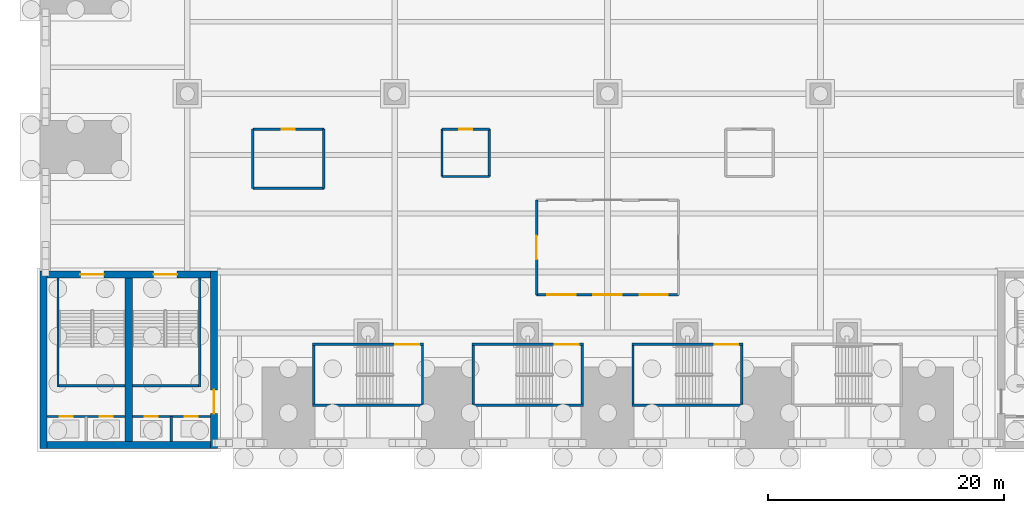
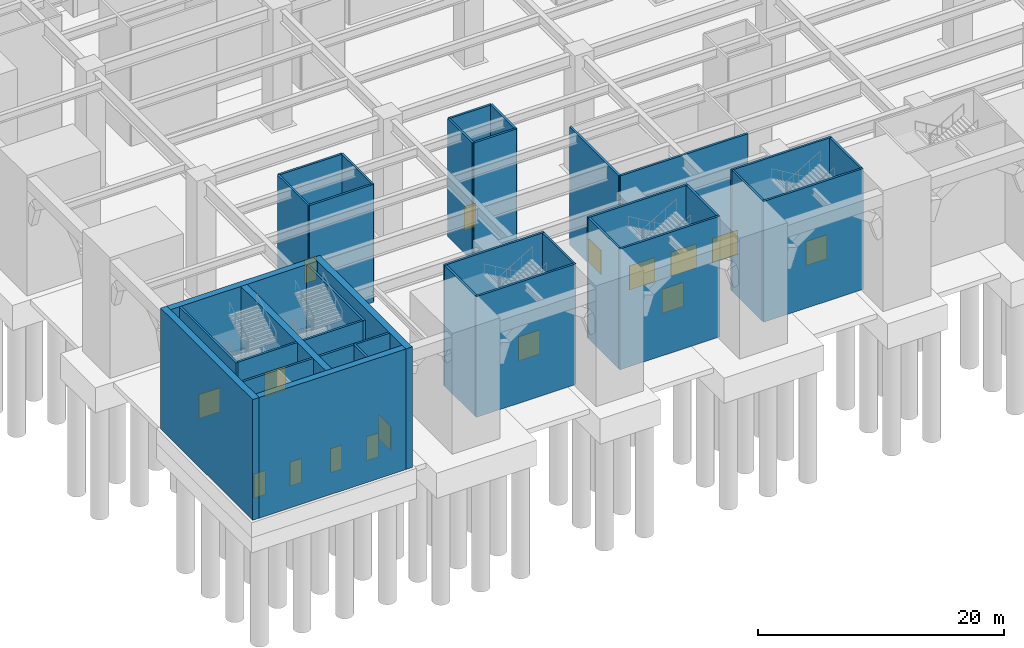
# One storey, part 7 of 34: 34 walls, 16 doors, 16 openings.
"""IFC4 building model written with IfcOpenShell, lengths in metres."""

from ifc_helpers import new_model, si_unit, direction, frame, frame_2d, origin, place, context, subcontext, project, spatial, rectangle, extrude, material, layer, layer_set, type_object, element, fill, save


model = new_model("IFC4")

# Units and contexts
model_context = context("Model", 3, precision=1e-05, world=origin(), true_north=direction((0.0, 1.0)))
body_context = subcontext(model_context, "Body", "Model", "MODEL_VIEW")
ifc_project = project(units=[si_unit("LENGTHUNIT", "METRE"), si_unit("AREAUNIT", "SQUARE_METRE"), si_unit("VOLUMEUNIT", "CUBIC_METRE"), si_unit("PLANEANGLEUNIT", "RADIAN"), si_unit("MASSUNIT", "GRAM", prefix="KILO")], contexts=[model_context])

# Site, building, storey
site_placement = place(None, origin())
site = spatial("IfcSite", under=ifc_project, at=site_placement, CompositionType="ELEMENT")
building_placement = place(site_placement, origin())
building = spatial("IfcBuilding", under=site, at=building_placement, Name="Corbelhall Arena Tower", CompositionType="ELEMENT")
storey_placement = place(building_placement, origin())
storey = spatial("IfcBuildingStorey", under=building, at=storey_placement, Name="L00", CompositionType="ELEMENT", Elevation=0.0)

# Wall
ifc_material_1 = material(Name="Gypsum board on steel studs", Category="steel")
ifc_layer_1 = layer(ifc_material_1, 0.199951171875)
ifc_layer_set_1 = layer_set([ifc_layer_1], Name="AR-ROOM-WALL")
wall_type_1 = type_object("IfcWallType", Name="AR-ROOM-WALL", PredefinedType="PARTITIONING", material=ifc_layer_set_1)
wall_1_placement = place(storey_placement, frame((-30.0, -17.0, 0.0), z_axis=(0.0, 0.0, 1.0), x_axis=(1.0, 0.0, 0.0)))
element("IfcWall", 1, at=wall_1_placement, inside=storey, type_object=wall_type_1, Name="First-aid post wall", PredefinedType="PARTITIONING", context=body_context, shape_type="SweptSolid", body=[
    extrude(rectangle(XDim=6.0, YDim=0.199951171875, at=frame_2d((3.0, 0.0))), origin(), (0.0, 0.0, 1.0), 11.699951171875),
])

# Wall, opening, door
wall_2_placement = place(storey_placement, frame((-24.0, -12.0, 0.0), z_axis=(0.0, 0.0, 1.0), x_axis=(-1.0, 0.0, 0.0)))
wall_2 = element("IfcWall", 2, at=wall_2_placement, inside=storey, type_object=wall_type_1, Name="First-aid post wall", PredefinedType="PARTITIONING", context=body_context, shape_type="SweptSolid", body=[
    extrude(rectangle(XDim=6.0, YDim=0.199951171875, at=frame_2d((3.0, 0.0))), origin(), (0.0, 0.0, 1.0), 11.699951171875),
])
opening_1_placement = place(wall_2_placement, frame((2.449951171875, 0.0, 0.0)))
opening_1 = element("IfcOpeningElement", 3, at=opening_1_placement, cuts=wall_2, Name="Opening DA0320", PredefinedType="OPENING", context=body_context, shape_type="SweptSolid", body=[
    extrude(rectangle(XDim=1.10009765625, YDim=2.39990234375, at=frame_2d((0.550048828125, 1.199951171875))), frame((0.0, 0.10009765625, 0.0), z_axis=(0.0, -1.0, 0.0), x_axis=(1.0, 0.0, 0.0)), (0.0, 0.0, 1.0), 0.199951171875),
])
ifc_material_2 = material(Name="Timber", Category="wood")
door_type_1 = type_object("IfcDoorType", Name="AR-ROOM-DOOR", OperationType="DOUBLE_DOOR_SINGLE_SWING", PredefinedType="DOOR", material=ifc_material_2)
door_1_placement = place(opening_1_placement, origin())
door_1 = element("IfcDoor", 4, at=door_1_placement, inside=storey, type_object=door_type_1, Name="First-aid post door", OperationType="DOUBLE_DOOR_SINGLE_SWING", OverallHeight=2.39990234375, OverallWidth=1.10009765625, PredefinedType="DOOR", context=body_context, shape_type="SweptSolid", body=[
    extrude(rectangle(XDim=1.10009765625, YDim=2.39990234375, at=frame_2d((0.550048828125, 1.199951171875))), frame((0.0, 0.02490234375, 0.0), z_axis=(0.0, -1.0, 0.0), x_axis=(1.0, 0.0, 0.0)), (0.0, 0.0, 1.0), 0.050048828125),
])
fill(opening_1, door_1)

# Walls
for number, where, z_axis, x_axis, name in (
    (5, (-30.0, -12.0, 0.0), (0.0, 0.0, 1.0), (0.0, -1.0, 0.0), "First-aid post wall"),
    (6, (-24.0, -17.0, 0.0), (0.0, 0.0, 1.0), (0.0, 1.0, 0.0), "First-aid post wall"),
):
    element("IfcWall", number, at=place(storey_placement, frame(where, z_axis=z_axis, x_axis=x_axis)), inside=storey, type_object=wall_type_1, Name=name, PredefinedType="PARTITIONING", context=body_context, shape_type="SweptSolid", body=[
        extrude(rectangle(XDim=5.0, YDim=0.199951171875, at=frame_2d((2.5, 0.0))), origin(), (0.0, 0.0, 1.0), 11.699951171875),
    ])
wall_3_placement = place(storey_placement, frame((-14.0, -16.0, 0.0), z_axis=(0.0, 0.0, 1.0), x_axis=(1.0, 0.0, 0.0)))
element("IfcWall", 7, at=wall_3_placement, inside=storey, type_object=wall_type_1, Name="Information kiosk wall", PredefinedType="PARTITIONING", context=body_context, shape_type="SweptSolid", body=[
    extrude(rectangle(XDim=4.0, YDim=0.199951171875, at=frame_2d((2.0, 0.0))), origin(), (0.0, 0.0, 1.0), 11.699951171875),
])

# Wall, opening, door
wall_4_placement = place(storey_placement, frame((-10.0, -12.0, 0.0), z_axis=(0.0, 0.0, 1.0), x_axis=(-1.0, 0.0, 0.0)))
wall_4 = element("IfcWall", 8, at=wall_4_placement, inside=storey, type_object=wall_type_1, Name="Information kiosk wall", PredefinedType="PARTITIONING", context=body_context, shape_type="SweptSolid", body=[
    extrude(rectangle(XDim=4.0, YDim=0.199951171875, at=frame_2d((2.0, 0.0))), origin(), (0.0, 0.0, 1.0), 11.699951171875),
])
opening_2_placement = place(wall_4_placement, frame((1.449951171875, 0.0, 0.0)))
opening_2 = element("IfcOpeningElement", 9, at=opening_2_placement, cuts=wall_4, Name="Opening DA0323", PredefinedType="OPENING", context=body_context, shape_type="SweptSolid", body=[
    extrude(rectangle(XDim=1.10009765625, YDim=2.39990234375, at=frame_2d((0.550048828125, 1.199951171875))), frame((0.0, 0.10009765625, 0.0), z_axis=(0.0, -1.0, 0.0), x_axis=(1.0, 0.0, 0.0)), (0.0, 0.0, 1.0), 0.199951171875),
])
door_2_placement = place(opening_2_placement, origin())
door_2 = element("IfcDoor", 10, at=door_2_placement, inside=storey, type_object=door_type_1, Name="Information kiosk door", OperationType="DOUBLE_DOOR_SINGLE_SWING", OverallHeight=2.39990234375, OverallWidth=1.10009765625, PredefinedType="DOOR", context=body_context, shape_type="SweptSolid", body=[
    extrude(rectangle(XDim=1.10009765625, YDim=2.39990234375, at=frame_2d((0.550048828125, 1.199951171875))), frame((0.0, 0.02490234375, 0.0), z_axis=(0.0, -1.0, 0.0), x_axis=(1.0, 0.0, 0.0)), (0.0, 0.0, 1.0), 0.050048828125),
])
fill(opening_2, door_2)

# Walls
for number, where, z_axis, x_axis, name in (
    (11, (-14.0, -12.0, 0.0), (0.0, 0.0, 1.0), (0.0, -1.0, 0.0), "Information kiosk wall"),
    (12, (-10.0, -16.0, 0.0), (0.0, 0.0, 1.0), (0.0, 1.0, 0.0), "Information kiosk wall"),
):
    element("IfcWall", number, at=place(storey_placement, frame(where, z_axis=z_axis, x_axis=x_axis)), inside=storey, type_object=wall_type_1, Name=name, PredefinedType="PARTITIONING", context=body_context, shape_type="SweptSolid", body=[
        extrude(rectangle(XDim=4.0, YDim=0.199951171875, at=frame_2d((2.0, 0.0))), origin(), (0.0, 0.0, 1.0), 11.699951171875),
    ])

# Wall, openings, doors
wall_5_placement = place(storey_placement, frame((-6.0, -26.0, 0.0), z_axis=(0.0, 0.0, 1.0), x_axis=(1.0, 0.0, 0.0)))
wall_5 = element("IfcWall", 13, at=wall_5_placement, inside=storey, type_object=wall_type_1, Name="Arena entrance lobby wall", PredefinedType="PARTITIONING", context=body_context, shape_type="SweptSolid", body=[
    extrude(rectangle(XDim=12.0, YDim=0.199951171875, at=frame_2d((6.0, 0.0))), origin(), (0.0, 0.0, 1.0), 11.699951171875),
])
opening_3_placement = place(wall_5_placement, frame((0.89990234375, 0.0, 0.0)))
opening_3 = element("IfcOpeningElement", 14, at=opening_3_placement, cuts=wall_5, Name="Opening DA0333", PredefinedType="OPENING", context=body_context, shape_type="SweptSolid", body=[
    extrude(rectangle(XDim=2.39990234375, YDim=2.39990234375, at=frame_2d((1.199951171875, 1.199951171875))), frame((0.0, 0.10009765625, 0.0), z_axis=(0.0, -1.0, 0.0), x_axis=(1.0, 0.0, 0.0)), (0.0, 0.0, 1.0), 0.199951171875),
])
opening_4_placement = place(wall_5_placement, frame((4.800048828125, 0.0, 0.0)))
opening_4 = element("IfcOpeningElement", 15, at=opening_4_placement, cuts=wall_5, Name="Opening DA0334", PredefinedType="OPENING", context=body_context, shape_type="SweptSolid", body=[
    extrude(rectangle(XDim=2.39990234375, YDim=2.39990234375, at=frame_2d((1.199951171875, 1.199951171875))), frame((0.0, 0.10009765625, 0.0), z_axis=(0.0, -1.0, 0.0), x_axis=(1.0, 0.0, 0.0)), (0.0, 0.0, 1.0), 0.199951171875),
])
opening_5_placement = place(wall_5_placement, frame((8.699951171875, 0.0, 0.0)))
opening_5 = element("IfcOpeningElement", 16, at=opening_5_placement, cuts=wall_5, Name="Opening DA0335", PredefinedType="OPENING", context=body_context, shape_type="SweptSolid", body=[
    extrude(rectangle(XDim=2.39990234375, YDim=2.39990234375, at=frame_2d((1.199951171875, 1.199951171875))), frame((0.0, 0.10009765625, 0.0), z_axis=(0.0, -1.0, 0.0), x_axis=(1.0, 0.0, 0.0)), (0.0, 0.0, 1.0), 0.199951171875),
])
ifc_material_3 = material(Name="Steel and glass", Category="steel")
door_type_2 = type_object("IfcDoorType", Name="AR-ENTRANCE-DOOR", OperationType="DOUBLE_DOOR_SINGLE_SWING", PredefinedType="DOOR", material=ifc_material_3)
door_3_placement = place(opening_3_placement, frame((2.39990234375, 0.0, 0.0), z_axis=(0.0, 0.0, 1.0), x_axis=(-1.0, 0.0, 0.0)))
door_3 = element("IfcDoor", 17, at=door_3_placement, inside=storey, type_object=door_type_2, Name="Arena entrance lobby entrance door", OperationType="DOUBLE_DOOR_SINGLE_SWING", OverallHeight=2.39990234375, OverallWidth=2.39990234375, PredefinedType="DOOR", context=body_context, shape_type="SweptSolid", body=[
    extrude(rectangle(XDim=2.39990234375, YDim=2.39990234375, at=frame_2d((1.199951171875, 1.199951171875))), frame((0.0, 0.02490234375, 0.0), z_axis=(0.0, -1.0, 0.0), x_axis=(1.0, 0.0, 0.0)), (0.0, 0.0, 1.0), 0.050048828125),
])
fill(opening_3, door_3)
door_4_placement = place(opening_4_placement, frame((2.39990234375, 0.0, 0.0), z_axis=(0.0, 0.0, 1.0), x_axis=(-1.0, 0.0, 0.0)))
door_4 = element("IfcDoor", 18, at=door_4_placement, inside=storey, type_object=door_type_2, Name="Arena entrance lobby entrance door", OperationType="DOUBLE_DOOR_SINGLE_SWING", OverallHeight=2.39990234375, OverallWidth=2.39990234375, PredefinedType="DOOR", context=body_context, shape_type="SweptSolid", body=[
    extrude(rectangle(XDim=2.39990234375, YDim=2.39990234375, at=frame_2d((1.199951171875, 1.199951171875))), frame((0.0, 0.02490234375, 0.0), z_axis=(0.0, -1.0, 0.0), x_axis=(1.0, 0.0, 0.0)), (0.0, 0.0, 1.0), 0.050048828125),
])
fill(opening_4, door_4)
door_5_placement = place(opening_5_placement, frame((2.39990234375, 0.0, 0.0), z_axis=(0.0, 0.0, 1.0), x_axis=(-1.0, 0.0, 0.0)))
door_5 = element("IfcDoor", 19, at=door_5_placement, inside=storey, type_object=door_type_2, Name="Arena entrance lobby entrance door", OperationType="DOUBLE_DOOR_SINGLE_SWING", OverallHeight=2.39990234375, OverallWidth=2.39990234375, PredefinedType="DOOR", context=body_context, shape_type="SweptSolid", body=[
    extrude(rectangle(XDim=2.39990234375, YDim=2.39990234375, at=frame_2d((1.199951171875, 1.199951171875))), frame((0.0, 0.02490234375, 0.0), z_axis=(0.0, -1.0, 0.0), x_axis=(1.0, 0.0, 0.0)), (0.0, 0.0, 1.0), 0.050048828125),
])
fill(opening_5, door_5)

# Wall, opening, door
wall_6_placement = place(storey_placement, frame((-6.0, -18.0, 0.0), z_axis=(0.0, 0.0, 1.0), x_axis=(0.0, -1.0, 0.0)))
wall_6 = element("IfcWall", 20, at=wall_6_placement, inside=storey, type_object=wall_type_1, Name="Arena entrance lobby wall", PredefinedType="PARTITIONING", context=body_context, shape_type="SweptSolid", body=[
    extrude(rectangle(XDim=8.0, YDim=0.199951171875, at=frame_2d((4.0, 0.0))), origin(), (0.0, 0.0, 1.0), 11.699951171875),
])
opening_6_placement = place(wall_6_placement, frame((3.0, 0.0, 0.0)))
opening_6 = element("IfcOpeningElement", 21, at=opening_6_placement, cuts=wall_6, Name="Opening DA0339", PredefinedType="OPENING", context=body_context, shape_type="SweptSolid", body=[
    extrude(rectangle(XDim=2.0, YDim=2.39990234375, at=frame_2d((1.0, 1.199951171875))), frame((0.0, 0.10009765625, 0.0), z_axis=(0.0, -1.0, 0.0), x_axis=(1.0, 0.0, 0.0)), (0.0, 0.0, 1.0), 0.199951171875),
])
door_type_3 = type_object("IfcDoorType", Name="AR-EXIT-DOOR", OperationType="DOUBLE_DOOR_SINGLE_SWING", PredefinedType="DOOR", material=ifc_material_3)
door_6_placement = place(opening_6_placement, frame((2.0, 0.0, 0.0), z_axis=(0.0, 0.0, 1.0), x_axis=(-1.0, 0.0, 0.0)))
door_6 = element("IfcDoor", 22, at=door_6_placement, inside=storey, type_object=door_type_3, Name="Arena entrance lobby exit door", OperationType="DOUBLE_DOOR_SINGLE_SWING", OverallHeight=2.39990234375, OverallWidth=2.0, PredefinedType="DOOR", context=body_context, shape_type="SweptSolid", body=[
    extrude(rectangle(XDim=2.0, YDim=2.39990234375, at=frame_2d((1.0, 1.199951171875))), frame((0.0, 0.02490234375, 0.0), z_axis=(0.0, -1.0, 0.0), x_axis=(1.0, 0.0, 0.0)), (0.0, 0.0, 1.0), 0.050048828125),
])
fill(opening_6, door_6)

# Wall, openings, doors
ifc_material_4 = material(Name="Reinforced concrete C40/50", Category="concrete")
ifc_layer_2 = layer(ifc_material_4, 0.199951171875)
ifc_layer_set_2 = layer_set([ifc_layer_2], Name="AR-SHAFT-WALL")
wall_type_2 = type_object("IfcWallType", Name="AR-SHAFT-WALL", PredefinedType="SHEAR", material=ifc_layer_set_2)
wall_7_placement = place(storey_placement, frame((-47.39990234375, -36.300048828125, 0.0), z_axis=(0.0, 0.0, 1.0), x_axis=(1.0, 0.0, 0.0)))
wall_7 = element("IfcWall", 23, at=wall_7_placement, inside=storey, type_object=wall_type_2, Name="Lift lobby wall SW", PredefinedType="SHEAR", context=body_context, shape_type="SweptSolid", body=[
    extrude(rectangle(XDim=6.599853515625, YDim=0.199951171875, at=frame_2d((3.2998046875, 0.0))), origin(), (0.0, 0.0, 1.0), 12.0),
])
opening_7_placement = place(wall_7_placement, frame((1.050048828125, 0.0, 0.0)))
opening_7 = element("IfcOpeningElement", 24, at=opening_7_placement, cuts=wall_7, Name="Opening LD0249", PredefinedType="OPENING", context=body_context, shape_type="SweptSolid", body=[
    extrude(rectangle(XDim=1.10009765625, YDim=2.39990234375, at=frame_2d((0.550048828125, 1.199951171875))), frame((0.0, 0.10009765625, 0.0), z_axis=(0.0, -1.0, 0.0), x_axis=(1.0, 0.0, 0.0)), (0.0, 0.0, 1.0), 0.199951171875),
])
opening_8_placement = place(wall_7_placement, frame((4.449951171875, 0.0, 0.0)))
opening_8 = element("IfcOpeningElement", 25, at=opening_8_placement, cuts=wall_7, Name="Opening LD0250", PredefinedType="OPENING", context=body_context, shape_type="SweptSolid", body=[
    extrude(rectangle(XDim=1.10009765625, YDim=2.39990234375, at=frame_2d((0.550048828125, 1.199951171875))), frame((0.0, 0.10009765625, 0.0), z_axis=(0.0, -1.0, 0.0), x_axis=(1.0, 0.0, 0.0)), (0.0, 0.0, 1.0), 0.199951171875),
])
ifc_material_5 = material(Name="Stainless steel A4", Category="steel")
door_type_4 = type_object("IfcDoorType", Name="AR-LANDING-DOOR", OperationType="DOUBLE_DOOR_SLIDING", PredefinedType="DOOR", material=ifc_material_5)
door_7_placement = place(opening_7_placement, frame((1.10009765625, 0.0, 0.0), z_axis=(0.0, 0.0, 1.0), x_axis=(-1.0, 0.0, 0.0)))
door_7 = element("IfcDoor", 26, at=door_7_placement, inside=storey, type_object=door_type_4, Name="Landing door SW LF3 L00", OperationType="DOUBLE_DOOR_SLIDING", OverallHeight=2.39990234375, OverallWidth=1.10009765625, PredefinedType="DOOR", context=body_context, shape_type="SweptSolid", body=[
    extrude(rectangle(XDim=1.10009765625, YDim=2.39990234375, at=frame_2d((0.550048828125, 1.199951171875))), frame((0.0, 0.02490234375, 0.0), z_axis=(0.0, -1.0, 0.0), x_axis=(1.0, 0.0, 0.0)), (0.0, 0.0, 1.0), 0.050048828125),
])
fill(opening_7, door_7)
door_8_placement = place(opening_8_placement, frame((1.10009765625, 0.0, 0.0), z_axis=(0.0, 0.0, 1.0), x_axis=(-1.0, 0.0, 0.0)))
door_8 = element("IfcDoor", 27, at=door_8_placement, inside=storey, type_object=door_type_4, Name="Landing door SW LF4 L00", OperationType="DOUBLE_DOOR_SLIDING", OverallHeight=2.39990234375, OverallWidth=1.10009765625, PredefinedType="DOOR", context=body_context, shape_type="SweptSolid", body=[
    extrude(rectangle(XDim=1.10009765625, YDim=2.39990234375, at=frame_2d((0.550048828125, 1.199951171875))), frame((0.0, 0.02490234375, 0.0), z_axis=(0.0, -1.0, 0.0), x_axis=(1.0, 0.0, 0.0)), (0.0, 0.0, 1.0), 0.050048828125),
])
fill(opening_8, door_8)

wall_8_placement = place(storey_placement, frame((-40.199951171875, -36.300048828125, 0.0), z_axis=(0.0, 0.0, 1.0), x_axis=(1.0, 0.0, 0.0)))
wall_8 = element("IfcWall", 28, at=wall_8_placement, inside=storey, type_object=wall_type_2, Name="Lift lobby wall SW", PredefinedType="SHEAR", context=body_context, shape_type="SweptSolid", body=[
    extrude(rectangle(XDim=6.599853515625, YDim=0.199951171875, at=frame_2d((3.2998046875, 0.0))), origin(), (0.0, 0.0, 1.0), 12.0),
])
opening_9_placement = place(wall_8_placement, frame((1.050048828125, 0.0, 0.0)))
opening_9 = element("IfcOpeningElement", 29, at=opening_9_placement, cuts=wall_8, Name="Opening LD0251", PredefinedType="OPENING", context=body_context, shape_type="SweptSolid", body=[
    extrude(rectangle(XDim=1.10009765625, YDim=2.39990234375, at=frame_2d((0.550048828125, 1.199951171875))), frame((0.0, 0.10009765625, 0.0), z_axis=(0.0, -1.0, 0.0), x_axis=(1.0, 0.0, 0.0)), (0.0, 0.0, 1.0), 0.199951171875),
])
opening_10_placement = place(wall_8_placement, frame((4.449951171875, 0.0, 0.0)))
opening_10 = element("IfcOpeningElement", 30, at=opening_10_placement, cuts=wall_8, Name="Opening LD0252", PredefinedType="OPENING", context=body_context, shape_type="SweptSolid", body=[
    extrude(rectangle(XDim=1.10009765625, YDim=2.39990234375, at=frame_2d((0.550048828125, 1.199951171875))), frame((0.0, 0.10009765625, 0.0), z_axis=(0.0, -1.0, 0.0), x_axis=(1.0, 0.0, 0.0)), (0.0, 0.0, 1.0), 0.199951171875),
])
door_9_placement = place(opening_9_placement, frame((1.10009765625, 0.0, 0.0), z_axis=(0.0, 0.0, 1.0), x_axis=(-1.0, 0.0, 0.0)))
door_9 = element("IfcDoor", 31, at=door_9_placement, inside=storey, type_object=door_type_4, Name="Landing door SW LF1 L00", OperationType="DOUBLE_DOOR_SLIDING", OverallHeight=2.39990234375, OverallWidth=1.10009765625, PredefinedType="DOOR", context=body_context, shape_type="SweptSolid", body=[
    extrude(rectangle(XDim=1.10009765625, YDim=2.39990234375, at=frame_2d((0.550048828125, 1.199951171875))), frame((0.0, 0.02490234375, 0.0), z_axis=(0.0, -1.0, 0.0), x_axis=(1.0, 0.0, 0.0)), (0.0, 0.0, 1.0), 0.050048828125),
])
fill(opening_9, door_9)
door_10_placement = place(opening_10_placement, frame((1.10009765625, 0.0, 0.0), z_axis=(0.0, 0.0, 1.0), x_axis=(-1.0, 0.0, 0.0)))
door_10 = element("IfcDoor", 32, at=door_10_placement, inside=storey, type_object=door_type_4, Name="Landing door SW LF2 L00", OperationType="DOUBLE_DOOR_SLIDING", OverallHeight=2.39990234375, OverallWidth=1.10009765625, PredefinedType="DOOR", context=body_context, shape_type="SweptSolid", body=[
    extrude(rectangle(XDim=1.10009765625, YDim=2.39990234375, at=frame_2d((0.550048828125, 1.199951171875))), frame((0.0, 0.02490234375, 0.0), z_axis=(0.0, -1.0, 0.0), x_axis=(1.0, 0.0, 0.0)), (0.0, 0.0, 1.0), 0.050048828125),
])
fill(opening_10, door_10)

# Wall
wall_9_placement = place(storey_placement, frame((-36.89990234375, -38.39990234375, 0.0), z_axis=(0.0, 0.0, 1.0), x_axis=(0.0, 1.0, 0.0)))
element("IfcWall", 33, at=wall_9_placement, inside=storey, type_object=wall_type_2, Name="Shaft wall SW", PredefinedType="SHEAR", context=body_context, shape_type="SweptSolid", body=[
    extrude(rectangle(XDim=2.099853515625, YDim=0.199951171875, at=frame_2d((1.0498046875, 0.0))), origin(), (0.0, 0.0, 1.0), 12.0),
])

# Wall, opening, door
ifc_layer_3 = layer(ifc_material_4, 0.199951171875)
ifc_layer_set_3 = layer_set([ifc_layer_3], Name="AR-STAIR-WALL")
wall_type_3 = type_object("IfcWallType", Name="AR-STAIR-WALL", PredefinedType="SOLIDWALL", material=ifc_layer_set_3)
wall_10_placement = place(storey_placement, frame((-24.949951171875, -30.199951171875, 0.0), z_axis=(0.0, 0.0, 1.0), x_axis=(1.0, 0.0, 0.0)))
wall_10 = element("IfcWall", 34, at=wall_10_placement, inside=storey, type_object=wall_type_3, Name="Stair AS13 wall", PredefinedType="SOLIDWALL", context=body_context, shape_type="SweptSolid", body=[
    extrude(rectangle(XDim=9.39990234375, YDim=0.199951171875, at=frame_2d((4.699951171875, 0.0))), origin(), (0.0, 0.0, 1.0), 12.0),
])
opening_11_placement = place(wall_10_placement, frame((7.0, 0.0, 0.0)))
opening_11 = element("IfcOpeningElement", 35, at=opening_11_placement, cuts=wall_10, Name="Opening DA0025", PredefinedType="OPENING", context=body_context, shape_type="SweptSolid", body=[
    extrude(rectangle(XDim=2.0, YDim=2.39990234375, at=frame_2d((1.0, 1.199951171875))), frame((0.0, 0.10009765625, 0.0), z_axis=(0.0, -1.0, 0.0), x_axis=(1.0, 0.0, 0.0)), (0.0, 0.0, 1.0), 0.199951171875),
])
door_11_placement = place(opening_11_placement, origin())
door_11 = element("IfcDoor", 36, at=door_11_placement, inside=storey, type_object=door_type_3, Name="Stair AS13 door", OperationType="DOUBLE_DOOR_SINGLE_SWING", OverallHeight=2.39990234375, OverallWidth=2.0, PredefinedType="DOOR", context=body_context, shape_type="SweptSolid", body=[
    extrude(rectangle(XDim=2.0, YDim=2.39990234375, at=frame_2d((1.0, 1.199951171875))), frame((0.0, 0.02490234375, 0.0), z_axis=(0.0, -1.0, 0.0), x_axis=(1.0, 0.0, 0.0)), (0.0, 0.0, 1.0), 0.050048828125),
])
fill(opening_11, door_11)

# Walls
wall_11_placement = place(storey_placement, frame((-24.949951171875, -35.35009765625, 0.0), z_axis=(0.0, 0.0, 1.0), x_axis=(1.0, 0.0, 0.0)))
element("IfcWall", 37, at=wall_11_placement, inside=storey, type_object=wall_type_3, Name="Stair AS13 wall", PredefinedType="SOLIDWALL", context=body_context, shape_type="SweptSolid", body=[
    extrude(rectangle(XDim=9.39990234375, YDim=0.199951171875, at=frame_2d((4.699951171875, 0.0))), origin(), (0.0, 0.0, 1.0), 12.0),
])
for number, where, z_axis, x_axis, name in (
    (38, (-24.85009765625, -35.25, 0.0), (0.0, 0.0, 1.0), (0.0, 1.0, 0.0), "Stair AS13 wall"),
    (39, (-15.64990234375, -35.25, 0.0), (0.0, 0.0, 1.0), (0.0, 1.0, 0.0), "Stair AS13 wall"),
):
    element("IfcWall", number, at=place(storey_placement, frame(where, z_axis=z_axis, x_axis=x_axis)), inside=storey, type_object=wall_type_3, Name=name, PredefinedType="SOLIDWALL", context=body_context, shape_type="SweptSolid", body=[
        extrude(rectangle(XDim=4.949951171875, YDim=0.199951171875, at=frame_2d((2.47509765625, 0.0))), origin(), (0.0, 0.0, 1.0), 12.0),
    ])

# Wall, opening, door
wall_12_placement = place(storey_placement, frame((-11.449951171875, -30.199951171875, 0.0), z_axis=(0.0, 0.0, 1.0), x_axis=(1.0, 0.0, 0.0)))
wall_12 = element("IfcWall", 40, at=wall_12_placement, inside=storey, type_object=wall_type_3, Name="Stair AS14 wall", PredefinedType="SOLIDWALL", context=body_context, shape_type="SweptSolid", body=[
    extrude(rectangle(XDim=9.39990234375, YDim=0.199951171875, at=frame_2d((4.699951171875, 0.0))), origin(), (0.0, 0.0, 1.0), 12.0),
])
opening_12_placement = place(wall_12_placement, frame((7.0, 0.0, 0.0)))
opening_12 = element("IfcOpeningElement", 41, at=opening_12_placement, cuts=wall_12, Name="Opening DA0031", PredefinedType="OPENING", context=body_context, shape_type="SweptSolid", body=[
    extrude(rectangle(XDim=2.0, YDim=2.39990234375, at=frame_2d((1.0, 1.199951171875))), frame((0.0, 0.10009765625, 0.0), z_axis=(0.0, -1.0, 0.0), x_axis=(1.0, 0.0, 0.0)), (0.0, 0.0, 1.0), 0.199951171875),
])
door_12_placement = place(opening_12_placement, origin())
door_12 = element("IfcDoor", 42, at=door_12_placement, inside=storey, type_object=door_type_3, Name="Stair AS14 door", OperationType="DOUBLE_DOOR_SINGLE_SWING", OverallHeight=2.39990234375, OverallWidth=2.0, PredefinedType="DOOR", context=body_context, shape_type="SweptSolid", body=[
    extrude(rectangle(XDim=2.0, YDim=2.39990234375, at=frame_2d((1.0, 1.199951171875))), frame((0.0, 0.02490234375, 0.0), z_axis=(0.0, -1.0, 0.0), x_axis=(1.0, 0.0, 0.0)), (0.0, 0.0, 1.0), 0.050048828125),
])
fill(opening_12, door_12)

# Walls
wall_13_placement = place(storey_placement, frame((-11.449951171875, -35.35009765625, 0.0), z_axis=(0.0, 0.0, 1.0), x_axis=(1.0, 0.0, 0.0)))
element("IfcWall", 43, at=wall_13_placement, inside=storey, type_object=wall_type_3, Name="Stair AS14 wall", PredefinedType="SOLIDWALL", context=body_context, shape_type="SweptSolid", body=[
    extrude(rectangle(XDim=9.39990234375, YDim=0.199951171875, at=frame_2d((4.699951171875, 0.0))), origin(), (0.0, 0.0, 1.0), 12.0),
])
for number, where, z_axis, x_axis, name in (
    (44, (-11.35009765625, -35.25, 0.0), (0.0, 0.0, 1.0), (0.0, 1.0, 0.0), "Stair AS14 wall"),
    (45, (-2.14990234375, -35.25, 0.0), (0.0, 0.0, 1.0), (0.0, 1.0, 0.0), "Stair AS14 wall"),
):
    element("IfcWall", number, at=place(storey_placement, frame(where, z_axis=z_axis, x_axis=x_axis)), inside=storey, type_object=wall_type_3, Name=name, PredefinedType="SOLIDWALL", context=body_context, shape_type="SweptSolid", body=[
        extrude(rectangle(XDim=4.949951171875, YDim=0.199951171875, at=frame_2d((2.47509765625, 0.0))), origin(), (0.0, 0.0, 1.0), 12.0),
    ])

# Wall, opening, door
wall_14_placement = place(storey_placement, frame((2.050048828125, -30.199951171875, 0.0), z_axis=(0.0, 0.0, 1.0), x_axis=(1.0, 0.0, 0.0)))
wall_14 = element("IfcWall", 46, at=wall_14_placement, inside=storey, type_object=wall_type_3, Name="Stair AS15 wall", PredefinedType="SOLIDWALL", context=body_context, shape_type="SweptSolid", body=[
    extrude(rectangle(XDim=9.39990234375, YDim=0.199951171875, at=frame_2d((4.699951171875, 0.0))), origin(), (0.0, 0.0, 1.0), 12.0),
])
opening_13_placement = place(wall_14_placement, frame((7.0, 0.0, 0.0)))
opening_13 = element("IfcOpeningElement", 47, at=opening_13_placement, cuts=wall_14, Name="Opening DA0037", PredefinedType="OPENING", context=body_context, shape_type="SweptSolid", body=[
    extrude(rectangle(XDim=2.0, YDim=2.39990234375, at=frame_2d((1.0, 1.199951171875))), frame((0.0, 0.10009765625, 0.0), z_axis=(0.0, -1.0, 0.0), x_axis=(1.0, 0.0, 0.0)), (0.0, 0.0, 1.0), 0.199951171875),
])
door_13_placement = place(opening_13_placement, origin())
door_13 = element("IfcDoor", 48, at=door_13_placement, inside=storey, type_object=door_type_3, Name="Stair AS15 door", OperationType="DOUBLE_DOOR_SINGLE_SWING", OverallHeight=2.39990234375, OverallWidth=2.0, PredefinedType="DOOR", context=body_context, shape_type="SweptSolid", body=[
    extrude(rectangle(XDim=2.0, YDim=2.39990234375, at=frame_2d((1.0, 1.199951171875))), frame((0.0, 0.02490234375, 0.0), z_axis=(0.0, -1.0, 0.0), x_axis=(1.0, 0.0, 0.0)), (0.0, 0.0, 1.0), 0.050048828125),
])
fill(opening_13, door_13)

# Walls
wall_15_placement = place(storey_placement, frame((2.050048828125, -35.35009765625, 0.0), z_axis=(0.0, 0.0, 1.0), x_axis=(1.0, 0.0, 0.0)))
element("IfcWall", 49, at=wall_15_placement, inside=storey, type_object=wall_type_3, Name="Stair AS15 wall", PredefinedType="SOLIDWALL", context=body_context, shape_type="SweptSolid", body=[
    extrude(rectangle(XDim=9.39990234375, YDim=0.199951171875, at=frame_2d((4.699951171875, 0.0))), origin(), (0.0, 0.0, 1.0), 12.0),
])
for number, where, z_axis, x_axis, name in (
    (50, (2.14990234375, -35.25, 0.0), (0.0, 0.0, 1.0), (0.0, 1.0, 0.0), "Stair AS15 wall"),
    (51, (11.35009765625, -35.25, 0.0), (0.0, 0.0, 1.0), (0.0, 1.0, 0.0), "Stair AS15 wall"),
):
    element("IfcWall", number, at=place(storey_placement, frame(where, z_axis=z_axis, x_axis=x_axis)), inside=storey, type_object=wall_type_3, Name=name, PredefinedType="SOLIDWALL", context=body_context, shape_type="SweptSolid", body=[
        extrude(rectangle(XDim=4.949951171875, YDim=0.199951171875, at=frame_2d((2.47509765625, 0.0))), origin(), (0.0, 0.0, 1.0), 12.0),
    ])
wall_16_placement = place(storey_placement, frame((-34.510009765625, -33.800048828125, 0.0), z_axis=(0.0, 0.0, 1.0), x_axis=(0.0, 1.0, 0.0)))
element("IfcWall", 52, at=wall_16_placement, inside=storey, type_object=wall_type_3, Name="Stair AS7 wall", PredefinedType="SOLIDWALL", context=body_context, shape_type="SweptSolid", body=[
    extrude(rectangle(XDim=9.199951171875, YDim=0.199951171875, at=frame_2d((4.60009765625, 0.0))), origin(), (0.0, 0.0, 1.0), 12.0),
])
wall_17_placement = place(storey_placement, frame((-40.199951171875, -33.699951171875, 0.0), z_axis=(0.0, 0.0, 1.0), x_axis=(1.0, 0.0, 0.0)))
element("IfcWall", 53, at=wall_17_placement, inside=storey, type_object=wall_type_3, Name="Stair AS7 wall", PredefinedType="SOLIDWALL", context=body_context, shape_type="SweptSolid", body=[
    extrude(rectangle(XDim=5.58984375, YDim=0.199951171875, at=frame_2d((2.794921875, 0.0))), origin(), (0.0, 0.0, 1.0), 12.0),
])
wall_18_placement = place(storey_placement, frame((-46.489990234375, -33.800048828125, 0.0), z_axis=(0.0, 0.0, 1.0), x_axis=(0.0, 1.0, 0.0)))
element("IfcWall", 54, at=wall_18_placement, inside=storey, type_object=wall_type_3, Name="Stair AS8 wall", PredefinedType="SOLIDWALL", context=body_context, shape_type="SweptSolid", body=[
    extrude(rectangle(XDim=9.199951171875, YDim=0.199951171875, at=frame_2d((4.60009765625, 0.0))), origin(), (0.0, 0.0, 1.0), 12.0),
])
wall_19_placement = place(storey_placement, frame((-46.389892578125, -33.699951171875, 0.0), z_axis=(0.0, 0.0, 1.0), x_axis=(1.0, 0.0, 0.0)))
element("IfcWall", 55, at=wall_19_placement, inside=storey, type_object=wall_type_3, Name="Stair AS8 wall", PredefinedType="SOLIDWALL", context=body_context, shape_type="SweptSolid", body=[
    extrude(rectangle(XDim=5.58984375, YDim=0.199951171875, at=frame_2d((2.794921875, 0.0))), origin(), (0.0, 0.0, 1.0), 12.0),
])

# Wall, openings, doors
ifc_material_6 = material(Name="Concrete C80/95", Category="concrete")
ifc_layer_4 = layer(ifc_material_6, 0.60009765625)
ifc_layer_set_4 = layer_set([ifc_layer_4], Name="PO-CORE-WALL")
wall_type_4 = type_object("IfcWallType", Name="PO-CORE-WALL", PredefinedType="SHEAR", material=ifc_layer_set_4)
wall_20_placement = place(storey_placement, frame((-47.39990234375, -24.300048828125, 0.0), z_axis=(0.0, 0.0, 1.0), x_axis=(1.0, 0.0, 0.0)))
wall_20 = element("IfcWall", 56, at=wall_20_placement, inside=storey, type_object=wall_type_4, Name="CORE SW WALL N L00", PredefinedType="SHEAR", context=body_context, shape_type="SweptSolid", body=[
    extrude(rectangle(XDim=13.7998046875, YDim=0.60009765625, at=frame_2d((6.89990234375, 0.0))), origin(), (0.0, 0.0, 1.0), 12.0),
])
opening_14_placement = place(wall_20_placement, frame((8.9951171875, 0.0, 0.0)))
opening_14 = element("IfcOpeningElement", 57, at=opening_14_placement, cuts=wall_20, Name="Opening DA0101", PredefinedType="OPENING", context=body_context, shape_type="SweptSolid", body=[
    extrude(rectangle(XDim=2.0, YDim=2.39990234375, at=frame_2d((1.0, 1.199951171875))), frame((0.0, 0.300048828125, 0.0), z_axis=(0.0, -1.0, 0.0), x_axis=(1.0, 0.0, 0.0)), (0.0, 0.0, 1.0), 0.60009765625),
])
opening_15_placement = place(wall_20_placement, frame((2.804931640625, 0.0, 0.0)))
opening_15 = element("IfcOpeningElement", 58, at=opening_15_placement, cuts=wall_20, Name="Opening DA0109", PredefinedType="OPENING", context=body_context, shape_type="SweptSolid", body=[
    extrude(rectangle(XDim=2.0, YDim=2.39990234375, at=frame_2d((1.0, 1.199951171875))), frame((0.0, 0.300048828125, 0.0), z_axis=(0.0, -1.0, 0.0), x_axis=(1.0, 0.0, 0.0)), (0.0, 0.0, 1.0), 0.60009765625),
])
door_14_placement = place(opening_14_placement, origin())
door_14 = element("IfcDoor", 59, at=door_14_placement, inside=storey, type_object=door_type_3, Name="Stair AS7 door", OperationType="DOUBLE_DOOR_SINGLE_SWING", OverallHeight=2.39990234375, OverallWidth=2.0, PredefinedType="DOOR", context=body_context, shape_type="SweptSolid", body=[
    extrude(rectangle(XDim=2.0, YDim=2.39990234375, at=frame_2d((1.0, 1.199951171875))), frame((0.0, 0.02490234375, 0.0), z_axis=(0.0, -1.0, 0.0), x_axis=(1.0, 0.0, 0.0)), (0.0, 0.0, 1.0), 0.050048828125),
])
fill(opening_14, door_14)
door_15_placement = place(opening_15_placement, origin())
door_15 = element("IfcDoor", 60, at=door_15_placement, inside=storey, type_object=door_type_3, Name="Stair AS8 door", OperationType="DOUBLE_DOOR_SINGLE_SWING", OverallHeight=2.39990234375, OverallWidth=2.0, PredefinedType="DOOR", context=body_context, shape_type="SweptSolid", body=[
    extrude(rectangle(XDim=2.0, YDim=2.39990234375, at=frame_2d((1.0, 1.199951171875))), frame((0.0, 0.02490234375, 0.0), z_axis=(0.0, -1.0, 0.0), x_axis=(1.0, 0.0, 0.0)), (0.0, 0.0, 1.0), 0.050048828125),
])
fill(opening_15, door_15)

# Walls
wall_21_placement = place(storey_placement, frame((-47.39990234375, -38.699951171875, 0.0), z_axis=(0.0, 0.0, 1.0), x_axis=(1.0, 0.0, 0.0)))
element("IfcWall", 61, at=wall_21_placement, inside=storey, type_object=wall_type_4, Name="CORE SW WALL S L00", PredefinedType="SHEAR", context=body_context, shape_type="SweptSolid", body=[
    extrude(rectangle(XDim=13.7998046875, YDim=0.60009765625, at=frame_2d((6.89990234375, 0.0))), origin(), (0.0, 0.0, 1.0), 12.0),
])
wall_22_placement = place(storey_placement, frame((-47.699951171875, -39.0, 0.0), z_axis=(0.0, 0.0, 1.0), x_axis=(0.0, 1.0, 0.0)))
element("IfcWall", 62, at=wall_22_placement, inside=storey, type_object=wall_type_4, Name="CORE SW WALL W L00", PredefinedType="SHEAR", context=body_context, shape_type="SweptSolid", body=[
    extrude(rectangle(XDim=15.0, YDim=0.60009765625, at=frame_2d((7.5, 0.0))), origin(), (0.0, 0.0, 1.0), 12.0),
])

# Wall, opening, door
wall_23_placement = place(storey_placement, frame((-33.300048828125, -39.0, 0.0), z_axis=(0.0, 0.0, 1.0), x_axis=(0.0, 1.0, 0.0)))
wall_23 = element("IfcWall", 63, at=wall_23_placement, inside=storey, type_object=wall_type_4, Name="CORE SW WALL E L00", PredefinedType="SHEAR", context=body_context, shape_type="SweptSolid", body=[
    extrude(rectangle(XDim=15.0, YDim=0.60009765625, at=frame_2d((7.5, 0.0))), origin(), (0.0, 0.0, 1.0), 12.0),
])
opening_16_placement = place(wall_23_placement, frame((2.949951171875, 0.0, 0.0)))
opening_16 = element("IfcOpeningElement", 64, at=opening_16_placement, cuts=wall_23, Name="Opening DA0253", PredefinedType="OPENING", context=body_context, shape_type="SweptSolid", body=[
    extrude(rectangle(XDim=2.0, YDim=2.39990234375, at=frame_2d((1.0, 1.199951171875))), frame((0.0, 0.300048828125, 0.0), z_axis=(0.0, -1.0, 0.0), x_axis=(1.0, 0.0, 0.0)), (0.0, 0.0, 1.0), 0.60009765625),
])
door_type_5 = type_object("IfcDoorType", Name="AR-CORE-DOOR", OperationType="DOUBLE_DOOR_SINGLE_SWING", PredefinedType="DOOR", material=ifc_material_3)
door_16_placement = place(opening_16_placement, origin())
door_16 = element("IfcDoor", 65, at=door_16_placement, inside=storey, type_object=door_type_5, Name="Core lobby door SW L00", OperationType="DOUBLE_DOOR_SINGLE_SWING", OverallHeight=2.39990234375, OverallWidth=2.0, PredefinedType="DOOR", context=body_context, shape_type="SweptSolid", body=[
    extrude(rectangle(XDim=2.0, YDim=2.39990234375, at=frame_2d((1.0, 1.199951171875))), frame((0.0, 0.02490234375, 0.0), z_axis=(0.0, -1.0, 0.0), x_axis=(1.0, 0.0, 0.0)), (0.0, 0.0, 1.0), 0.050048828125),
])
fill(opening_16, door_16)

# Wall
wall_24_placement = place(storey_placement, frame((-40.5, -38.39990234375, 0.0), z_axis=(0.0, 0.0, 1.0), x_axis=(0.0, 1.0, 0.0)))
element("IfcWall", 66, at=wall_24_placement, inside=storey, type_object=wall_type_4, Name="CORE SW WALL D L00", PredefinedType="SHEAR", context=body_context, shape_type="SweptSolid", body=[
    extrude(rectangle(XDim=13.7998046875, YDim=0.60009765625, at=frame_2d((6.89990234375, 0.0))), origin(), (0.0, 0.0, 1.0), 12.0),
])

save(model, "model.ifc")
